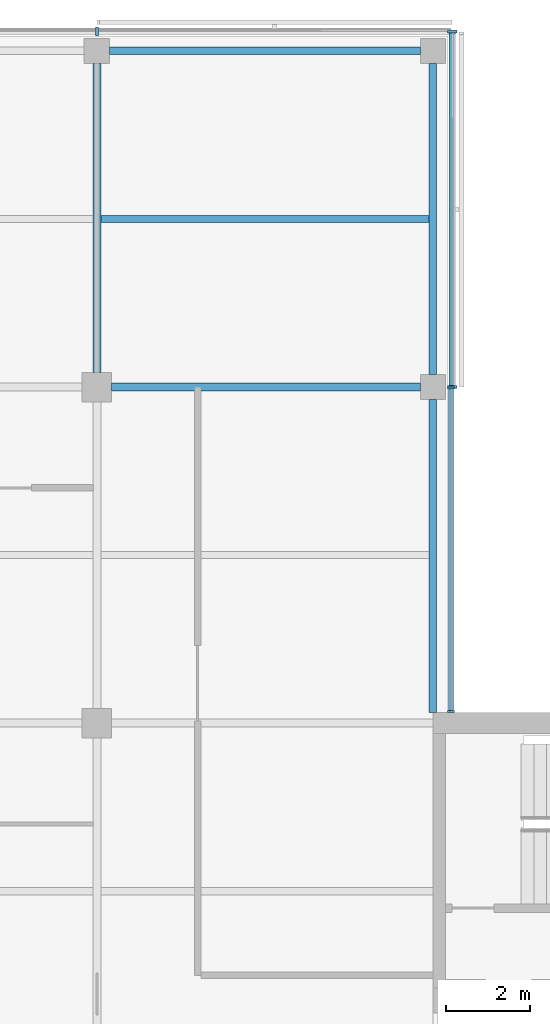
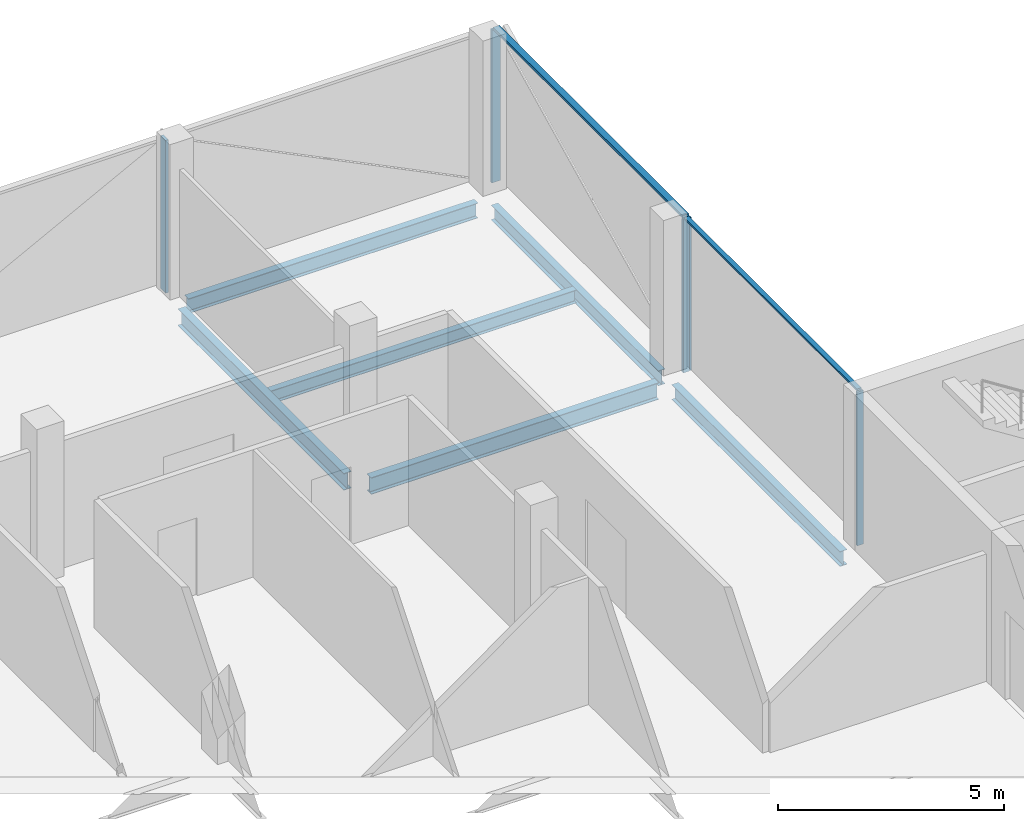
# One storey, part 7 of 15: 7 members, 6 beams, 3 elements without a shape of their own.
"""IFC4 building model written with IfcOpenShell, lengths in metres."""

from ifc_helpers import new_model, si_unit, direction, frame, origin, origin_2d, place, context, subcontext, project, spatial, rectangle, i_section, extrude, material, material_profile, profile_set, type_object, element, aggregate, save


model = new_model("IFC4")

# Units and contexts
model_context = context("Model", 3, precision=1e-05, world=origin(), true_north=direction((0.0, 1.0)))
body_context = subcontext(model_context, "Body", "Model", "MODEL_VIEW")
ifc_project = project(units=[si_unit("LENGTHUNIT", "METRE"), si_unit("AREAUNIT", "SQUARE_METRE"), si_unit("VOLUMEUNIT", "CUBIC_METRE"), si_unit("PLANEANGLEUNIT", "RADIAN"), si_unit("MASSUNIT", "GRAM", prefix="KILO")], contexts=[model_context])

# Site, building, storey
site_placement = place(None, origin())
site = spatial("IfcSite", under=ifc_project, at=site_placement, CompositionType="ELEMENT")
building_placement = place(site_placement, origin())
building = spatial("IfcBuilding", under=site, at=building_placement, Name="Crosswind Convention Tower", CompositionType="ELEMENT")
storey_placement = place(building_placement, frame((0.0, 0.0, 261.89990234375)))
storey = spatial("IfcBuildingStorey", under=building, at=storey_placement, Name="L56", CompositionType="ELEMENT", Elevation=261.89990234375)

# Beams
ifc_material_1 = material(Name="Steel S355", Category="steel")
ifc_material_profile_1 = material_profile(ifc_material_1, i_section(OverallWidth=0.177734375, OverallDepth=0.406494140625, WebThickness=0.0078125, FlangeThickness=0.0126953125, FilletRadius=0.01025390625, at=origin_2d()), Name="UB 406x178x60")
ifc_profile_set_1 = profile_set([ifc_material_profile_1], Name="Steel S355")
beam_type_1 = type_object("IfcBeamType", Name="Edge beam UB 406x178x60", PredefinedType="SPANDREL", material=ifc_profile_set_1)
beam_1_placement = place(storey_placement, frame((129.300048828125, 128.0, -0.503173828125), z_axis=(1.0, 0.0, 0.0), x_axis=(0.0, 1.0, 0.0)))
element("IfcBeam", 1, at=beam_1_placement, inside=storey, type_object=beam_type_1, Name="B15 L56 edge beam 10", PredefinedType="SPANDREL", context=body_context, shape_type="SweptSolid", body=[
    extrude(i_section(OverallWidth=0.177734375, OverallDepth=0.406494140625, WebThickness=0.0078125, FlangeThickness=0.0126953125, FilletRadius=0.01025390625, at=origin_2d()), origin(), (0.0, 0.0, 1.0), 7.39990234375),
])
beam_2_placement = place(storey_placement, frame((137.0, 112.25, -0.503173828125), z_axis=(0.0, 1.0, 0.0), x_axis=(-1.0, 0.0, 0.0)))
element("IfcBeam", 2, at=beam_2_placement, inside=storey, type_object=beam_type_1, Name="B15 L56 edge beam 13", PredefinedType="SPANDREL", context=body_context, shape_type="SweptSolid", body=[
    extrude(i_section(OverallWidth=0.177734375, OverallDepth=0.406494140625, WebThickness=0.0078125, FlangeThickness=0.0126953125, FilletRadius=0.01025390625, at=origin_2d()), origin(), (0.0, 0.0, 1.0), 7.449951171875),
])
beam_3_placement = place(storey_placement, frame((137.0, 120.300048828125, -0.503173828125), z_axis=(0.0, 1.0, 0.0), x_axis=(-1.0, 0.0, 0.0)))
element("IfcBeam", 3, at=beam_3_placement, inside=storey, type_object=beam_type_1, Name="B15 L56 edge beam 14", PredefinedType="SPANDREL", context=body_context, shape_type="SweptSolid", body=[
    extrude(i_section(OverallWidth=0.177734375, OverallDepth=0.406494140625, WebThickness=0.0078125, FlangeThickness=0.0126953125, FilletRadius=0.01025390625, at=origin_2d()), origin(), (0.0, 0.0, 1.0), 7.39990234375),
])
ifc_material_profile_2 = material_profile(ifc_material_1, i_section(OverallWidth=0.18994140625, OverallDepth=0.45361328125, WebThickness=0.008544921875, FlangeThickness=0.0126953125, FilletRadius=0.01025390625, at=origin_2d()), Name="UB 457x191x67")
ifc_profile_set_2 = profile_set([ifc_material_profile_2], Name="Steel S355")
beam_type_2 = type_object("IfcBeamType", Name="Girder UB 457x191x67", PredefinedType="BEAM", material=ifc_profile_set_2)
for number, where, z_axis, x_axis, name in (
    (4, (129.0, 120.35009765625, -0.526611328125), (0.0, 1.0, 0.0), (-1.0, 0.0, 0.0), "B1 L56 girder 22"),
    (5, (129.35009765625, 120.0, -0.526611328125), (1.0, 0.0, 0.0), (0.0, 1.0, 0.0), "B1 L56 girder 24"),
):
    element("IfcBeam", number, at=place(storey_placement, frame(where, z_axis=z_axis, x_axis=x_axis)), inside=storey, type_object=beam_type_2, Name=name, PredefinedType="BEAM", context=body_context, shape_type="SweptSolid", body=[
        extrude(i_section(OverallWidth=0.18994140625, OverallDepth=0.45361328125, WebThickness=0.008544921875, FlangeThickness=0.0126953125, FilletRadius=0.01025390625, at=origin_2d()), origin(), (0.0, 0.0, 1.0), 7.349853515625),
    ])

# Curtain wall, members
ifc_material_2 = material(Name="Aluminium unitised curtain wall", Category="aluminium")
curtain_wall_type_1 = type_object("IfcCurtainWallType", Name="CORE END SLOT WALL 160", PredefinedType="USERDEFINED", material=ifc_material_2)
curtain_wall_1_placement = place(storey_placement, origin())
curtain_wall_1 = element("IfcCurtainWall", 6, at=curtain_wall_1_placement, inside=storey, type_object=curtain_wall_type_1, Name="CW6 L56 N-E.1-1 slot", ObjectType="UNITISED", PredefinedType="USERDEFINED")
ifc_material_3 = material(Name="Aluminium mullion", Category="aluminium")
ifc_material_profile_3 = material_profile(ifc_material_3, rectangle(XDim=0.159912109375, YDim=0.050048828125, at=origin_2d()), Name="AL 160X50")
ifc_profile_set_3 = profile_set([ifc_material_profile_3], Name="Aluminium mullion")
member_type_1 = type_object("IfcMemberType", Name="MULLION 50X160", PredefinedType="MULLION", material=ifc_profile_set_3)
member_1_placement = place(storey_placement, frame((137.429931640625, 112.27490234375, -0.2998046875), z_axis=(0.0, 0.0, 1.0), x_axis=(1.0, 0.0, 0.0)))
member_1 = element("IfcMember", 7, at=member_1_placement, type_object=member_type_1, Name="CW6 mullion 1", PredefinedType="MULLION", context=body_context, shape_type="SweptSolid", body=[
    extrude(rectangle(XDim=0.159912109375, YDim=0.050048828125, at=origin_2d()), origin(), (0.0, 0.0, 1.0), 4.14990234375),
])
member_2_placement = place(storey_placement, frame((137.429931640625, 119.97509765625, -0.2998046875), z_axis=(0.0, 0.0, 1.0), x_axis=(1.0, 0.0, 0.0)))
member_2 = element("IfcMember", 8, at=member_2_placement, type_object=member_type_1, Name="CW6 mullion 2", PredefinedType="MULLION", context=body_context, shape_type="SweptSolid", body=[
    extrude(rectangle(XDim=0.159912109375, YDim=0.050048828125, at=origin_2d()), origin(), (0.0, 0.0, 1.0), 4.14990234375),
])

curtain_wall_type_2 = type_object("IfcCurtainWallType", Name="OFFICE UNITISED WALL 220", PredefinedType="USERDEFINED", material=ifc_material_2)
curtain_wall_2_placement = place(storey_placement, origin())
curtain_wall_2 = element("IfcCurtainWall", 9, at=curtain_wall_2_placement, inside=storey, type_object=curtain_wall_type_2, Name="CW3 L56 N-E 1", ObjectType="UNITISED", PredefinedType="USERDEFINED")
ifc_material_profile_4 = material_profile(ifc_material_3, rectangle(XDim=0.219970703125, YDim=0.070068359375, at=origin_2d()), Name="AL 220X70")
ifc_profile_set_4 = profile_set([ifc_material_profile_4], Name="Aluminium mullion")
member_type_2 = type_object("IfcMemberType", Name="MULLION 70X220", PredefinedType="MULLION", material=ifc_profile_set_4)
member_3_placement = place(storey_placement, frame((137.4599609375, 120.0, -0.2998046875), z_axis=(0.0, 0.0, 1.0), x_axis=(1.0, 0.0, 0.0)))
member_3 = element("IfcMember", 10, at=member_3_placement, type_object=member_type_2, Name="CW3 mullion 1", PredefinedType="MULLION", context=body_context, shape_type="SweptSolid", body=[
    extrude(rectangle(XDim=0.219970703125, YDim=0.070068359375, at=origin_2d()), origin(), (0.0, 0.0, 1.0), 4.1298828125),
])
member_4_placement = place(storey_placement, frame((137.4599609375, 128.4599609375, -0.2998046875), z_axis=(0.0, 0.0, 1.0), x_axis=(1.0, 0.0, 0.0)))
member_4 = element("IfcMember", 11, at=member_4_placement, type_object=member_type_2, Name="CW3 mullion 2", PredefinedType="MULLION", context=body_context, shape_type="SweptSolid", body=[
    extrude(rectangle(XDim=0.219970703125, YDim=0.070068359375, at=origin_2d()), origin(), (0.0, 0.0, 1.0), 4.1298828125),
])

# Curtain wall, member
curtain_wall_3_placement = place(storey_placement, origin())
curtain_wall_3 = element("IfcCurtainWall", 12, at=curtain_wall_3_placement, inside=storey, type_object=curtain_wall_type_2, Name="CW3 L56 N-TIP 1", ObjectType="UNITISED", PredefinedType="USERDEFINED")
member_5_placement = place(storey_placement, frame((129.0, 128.4599609375, -0.2998046875), z_axis=(0.0, 0.0, 1.0), x_axis=(0.0, 1.0, 0.0)))
member_5 = element("IfcMember", 13, at=member_5_placement, type_object=member_type_2, Name="CW3 mullion 2", PredefinedType="MULLION", context=body_context, shape_type="SweptSolid", body=[
    extrude(rectangle(XDim=0.219970703125, YDim=0.070068359375, at=origin_2d()), origin(), (0.0, 0.0, 1.0), 4.1298828125),
])
aggregate(curtain_wall_3, [member_5])

# Beam
ifc_material_profile_5 = material_profile(ifc_material_1, i_section(OverallWidth=0.17138671875, OverallDepth=0.355712890625, WebThickness=0.00732421875, FlangeThickness=0.011474609375, FilletRadius=0.01025390625, at=origin_2d()), Name="UB 356x171x51")
ifc_profile_set_5 = profile_set([ifc_material_profile_5], Name="Steel S355")
beam_type_3 = type_object("IfcBeamType", Name="Secondary beam UB 356x171x51", PredefinedType="JOIST", material=ifc_profile_set_5)
beam_4_placement = place(storey_placement, frame((129.094970703125, 124.0, -0.477783203125), z_axis=(1.0, 0.0, 0.0), x_axis=(0.0, 1.0, 0.0)))
element("IfcBeam", 14, at=beam_4_placement, inside=storey, type_object=beam_type_3, Name="B8 L56 secondary beam 21", PredefinedType="JOIST", context=body_context, shape_type="SweptSolid", body=[
    extrude(i_section(OverallWidth=0.17138671875, OverallDepth=0.355712890625, WebThickness=0.00732421875, FlangeThickness=0.011474609375, FilletRadius=0.01025390625, at=origin_2d()), origin(), (0.0, 0.0, 1.0), 7.816162109375),
])

# Member
ifc_material_4 = material(Name="Aluminium transom", Category="aluminium")
ifc_material_profile_6 = material_profile(ifc_material_4, rectangle(XDim=0.1201171875, YDim=0.050048828125, at=origin_2d()), Name="AL 120X50")
ifc_profile_set_6 = profile_set([ifc_material_profile_6], Name="Aluminium transom")
member_type_3 = type_object("IfcMemberType", Name="TRANSOM 50X120", PredefinedType="USERDEFINED", material=ifc_profile_set_6)
member_6_placement = place(storey_placement, frame((137.429931640625, 112.300048828125, 3.875), z_axis=(0.0, 1.0, 0.0), x_axis=(-1.0, 0.0, 0.0)))
member_6 = element("IfcMember", 15, at=member_6_placement, type_object=member_type_3, Name="CW6 transom", ObjectType="TRANSOM", PredefinedType="USERDEFINED", context=body_context, shape_type="SweptSolid", body=[
    extrude(rectangle(XDim=0.1201171875, YDim=0.050048828125, at=origin_2d()), origin(), (0.0, 0.0, 1.0), 7.64990234375),
])

aggregate(curtain_wall_1, [member_1, member_2, member_6])

ifc_material_profile_7 = material_profile(ifc_material_4, rectangle(XDim=0.159912109375, YDim=0.070068359375, at=origin_2d()), Name="AL 160X70")
ifc_profile_set_7 = profile_set([ifc_material_profile_7], Name="Aluminium transom")
member_type_4 = type_object("IfcMemberType", Name="TRANSOM 70X160", PredefinedType="USERDEFINED", material=ifc_profile_set_7)
member_7_placement = place(storey_placement, frame((137.4599609375, 120.034912109375, 3.864990234375), z_axis=(0.0, 1.0, 0.0), x_axis=(-1.0, 0.0, 0.0)))
member_7 = element("IfcMember", 16, at=member_7_placement, type_object=member_type_4, Name="CW3 transom", ObjectType="TRANSOM", PredefinedType="USERDEFINED", context=body_context, shape_type="SweptSolid", body=[
    extrude(rectangle(XDim=0.159912109375, YDim=0.070068359375, at=origin_2d()), origin(), (0.0, 0.0, 1.0), 8.39013671875),
])

aggregate(curtain_wall_2, [member_3, member_4, member_7])

save(model, "model.ifc")
